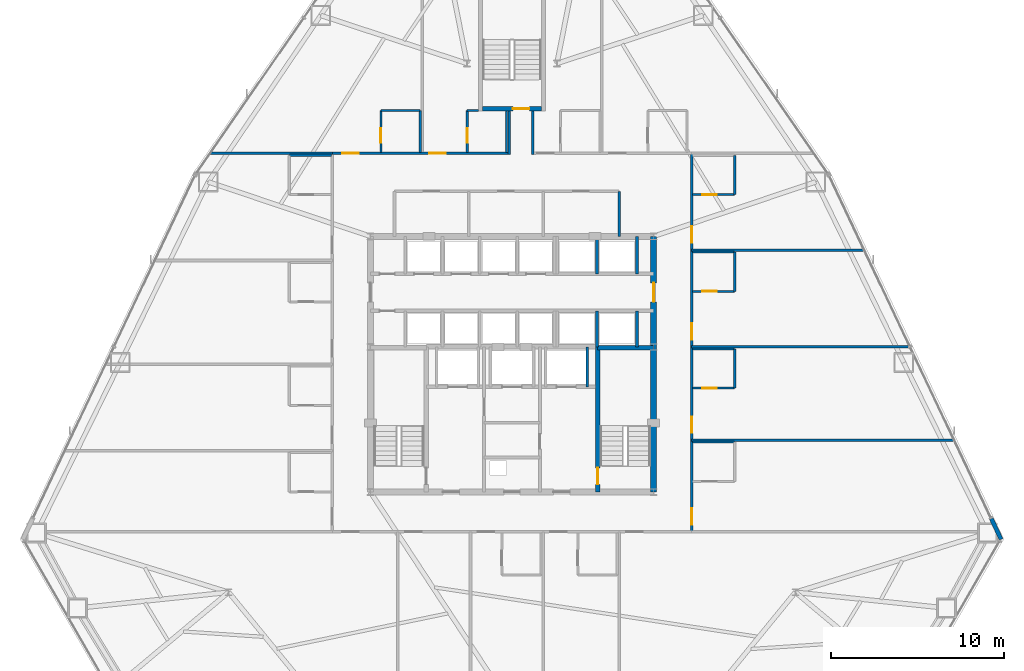
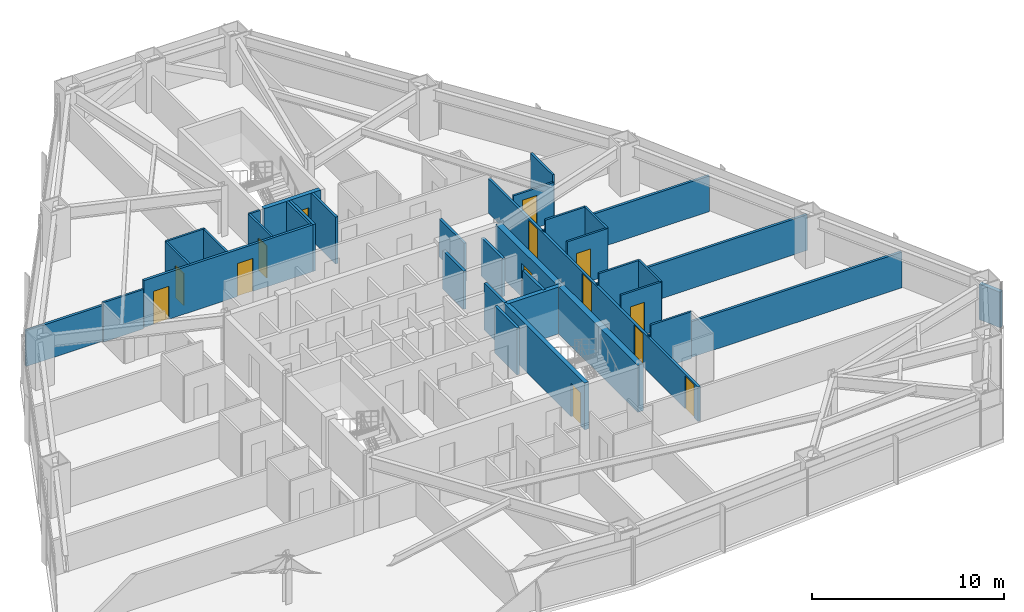
# One storey, part 11 of 13: 35 walls, 14 doors, 14 openings.
"""IFC4 building model written with IfcOpenShell, lengths in metres."""

from ifc_helpers import new_model, si_unit, direction, frame, frame_2d, origin, place, context, subcontext, project, spatial, rectangle, extrude, material, layer, layer_set, type_object, element, fill, save


model = new_model("IFC4")

# Units and contexts
model_context = context("Model", 3, precision=1e-05, world=origin(), true_north=direction((0.0, 1.0)))
body_context = subcontext(model_context, "Body", "Model", "MODEL_VIEW")
ifc_project = project(units=[si_unit("LENGTHUNIT", "METRE"), si_unit("AREAUNIT", "SQUARE_METRE"), si_unit("VOLUMEUNIT", "CUBIC_METRE"), si_unit("PLANEANGLEUNIT", "RADIAN"), si_unit("MASSUNIT", "GRAM", prefix="KILO")], contexts=[model_context])

# Site, building, storey
site_placement = place(None, origin())
site = spatial("IfcSite", under=ifc_project, at=site_placement, CompositionType="ELEMENT")
building_placement = place(site_placement, origin())
building = spatial("IfcBuilding", under=site, at=building_placement, Name="Varakhsha Concourse Tower", CompositionType="ELEMENT")
storey_placement = place(building_placement, frame((0.0, 0.0, 52.800048828125)))
storey = spatial("IfcBuildingStorey", under=building, at=storey_placement, Name="L14", CompositionType="ELEMENT", Elevation=52.800048828125)

# Wall, opening, door
ifc_material_1 = material(Name="Concrete fc 65 MPa", Category="concrete")
ifc_layer_1 = layer(ifc_material_1, 0.35009765625, Name="WL-CORE-350")
ifc_layer_set_1 = layer_set([ifc_layer_1], Name="Concrete fc 65 MPa")
wall_type_1 = type_object("IfcWallType", Name="WL-CORE-350", PredefinedType="SHEAR", material=ifc_layer_set_1)
wall_1_placement = place(storey_placement, frame((48.199951171875, 16.39990234375, 0.0), z_axis=(0.0, 0.0, 1.0), x_axis=(0.0, 1.0, 0.0)))
wall_1 = element("IfcWall", 1, at=wall_1_placement, inside=storey, type_object=wall_type_1, Name="L14 Wall CWALL-E-L14", PredefinedType="SHEAR", context=body_context, shape_type="SweptSolid", body=[
    extrude(rectangle(XDim=14.800048828125, YDim=0.35009765625, at=frame_2d((7.39990234375, 0.0))), origin(), (0.0, 0.0, 1.0), 2.97998046875),
])
opening_1_placement = place(wall_1_placement, frame((11.0, 0.0, 0.0)))
opening_1 = element("IfcOpeningElement", 2, at=opening_1_placement, cuts=wall_1, Name="Opening DL-01", PredefinedType="OPENING", context=body_context, shape_type="SweptSolid", body=[
    extrude(rectangle(XDim=1.10009765625, YDim=2.14990234375, at=frame_2d((0.550048828125, 1.074951171875))), frame((0.0, 0.18505859375, 0.0), z_axis=(0.0, -1.0, 0.0), x_axis=(1.0, 0.0, 0.0)), (0.0, 0.0, 1.0), 0.3701171875),
])
ifc_material_2 = material(Name="Anodised Bronze Architectural Aluminium AA 6063-T6", Category="aluminium")
door_type_1 = type_object("IfcDoorType", Name="DR-LOB-1100", OperationType="NOTDEFINED", PredefinedType="DOOR", material=ifc_material_2)
door_1_placement = place(opening_1_placement, origin())
door_1 = element("IfcDoor", 3, at=door_1_placement, inside=storey, type_object=door_type_1, Name="L14 Lift Lobby East Concourse Door", OperationType="SINGLE_SWING_RIGHT", OverallHeight=2.14990234375, OverallWidth=1.10009765625, PredefinedType="DOOR", context=body_context, shape_type="SweptSolid", body=[
    extrude(rectangle(XDim=1.10009765625, YDim=2.14990234375, at=frame_2d((0.550048828125, 1.074951171875))), frame((0.0, 0.02490234375, 0.0), z_axis=(0.0, -1.0, 0.0), x_axis=(1.0, 0.0, 0.0)), (0.0, 0.0, 1.0), 0.050048828125),
])
fill(opening_1, door_1)

# Walls
ifc_material_3 = material(Name="Concrete fc 45 MPa", Category="concrete")
ifc_layer_2 = layer(ifc_material_3, 0.239990234375, Name="WL-EXT-CRN-240")
ifc_layer_set_2 = layer_set([ifc_layer_2], Name="Concrete fc 45 MPa")
wall_type_2 = type_object("IfcWallType", Name="WL-EXT-CRN-240", PredefinedType="SHEAR", material=ifc_layer_set_2)
wall_2_placement = place(storey_placement, frame((68.305908203125, 13.662353515625, 0.0), z_axis=(0.0, 0.0, 1.0), x_axis=(-0.427644283084, 0.903947104175, 0.0)))
element("IfcWall", 4, at=wall_2_placement, inside=storey, type_object=wall_type_2, Name="L14 Wind-Corner Shoulder Wall F8", PredefinedType="SHEAR", context=body_context, shape_type="SweptSolid", body=[
    extrude(rectangle(XDim=1.32958984375, YDim=0.239990234375, at=frame_2d((0.664794921875, 0.0))), origin(), (0.0, 0.0, 1.0), 2.262939453125),
])
ifc_material_4 = material(Name="Acoustic Gypsum Board Partition Assembly", Category="gypsum")
ifc_layer_3 = layer(ifc_material_4, 0.1201171875, Name="WL-PART-120")
ifc_layer_set_3 = layer_set([ifc_layer_3], Name="Acoustic Gypsum Board Partition Assembly")
wall_type_3 = type_object("IfcWallType", Name="WL-PART-120", PredefinedType="PARTITIONING", material=ifc_layer_set_3)
wall_3_placement = place(storey_placement, frame((27.110107421875, 35.889892578125, 0.0), z_axis=(0.0, 0.0, 1.0), x_axis=(1.0, 0.0, 0.0)))
element("IfcWall", 5, at=wall_3_placement, inside=storey, type_object=wall_type_3, Name="L14 Wall ENSW-N-L14-H09", PredefinedType="PARTITIONING", context=body_context, shape_type="SweptSolid", body=[
    extrude(rectangle(XDim=2.429931640625, YDim=0.1201171875, at=frame_2d((1.21484375, 0.0))), origin(), (0.0, 0.0, 1.0), 2.512939453125),
])
wall_4_placement = place(storey_placement, frame((50.4599609375, 19.2900390625, 0.0), z_axis=(0.0, 0.0, 1.0), x_axis=(1.0, 0.0, 0.0)))
element("IfcWall", 6, at=wall_4_placement, inside=storey, type_object=wall_type_3, Name="L14 Wall ENSW-N-L14-H10", PredefinedType="PARTITIONING", context=body_context, shape_type="SweptSolid", body=[
    extrude(rectangle(XDim=2.429931640625, YDim=0.1201171875, at=frame_2d((1.21484375, 0.0))), origin(), (0.0, 0.0, 1.0), 2.97998046875),
])
wall_5_placement = place(storey_placement, frame((52.889892578125, 22.409912109375, 0.0), z_axis=(0.0, 0.0, 1.0), x_axis=(0.0, 1.0, 0.0)))
element("IfcWall", 7, at=wall_5_placement, inside=storey, type_object=wall_type_3, Name="L14 Wall ENSW-E-L14-H11", PredefinedType="PARTITIONING", context=body_context, shape_type="SweptSolid", body=[
    extrude(rectangle(XDim=2.280029296875, YDim=0.1201171875, at=frame_2d((1.14013671875, 0.0))), origin(), (0.0, 0.0, 1.0), 2.97998046875),
])

# Wall, opening, door
wall_6_placement = place(storey_placement, frame((50.4599609375, 22.409912109375, 0.0), z_axis=(0.0, 0.0, 1.0), x_axis=(1.0, 0.0, 0.0)))
wall_6 = element("IfcWall", 8, at=wall_6_placement, inside=storey, type_object=wall_type_3, Name="L14 Wall ENSW-S-L14-H11", PredefinedType="PARTITIONING", context=body_context, shape_type="SweptSolid", body=[
    extrude(rectangle(XDim=2.429931640625, YDim=0.1201171875, at=frame_2d((1.21484375, 0.0))), origin(), (0.0, 0.0, 1.0), 2.97998046875),
])
opening_2_placement = place(wall_6_placement, frame((0.550048828125, 0.0, 0.0)))
opening_2 = element("IfcOpeningElement", 9, at=opening_2_placement, cuts=wall_6, Name="Opening DI-01", PredefinedType="OPENING", context=body_context, shape_type="SweptSolid", body=[
    extrude(rectangle(XDim=0.85009765625, YDim=2.050048828125, at=frame_2d((0.425048828125, 1.02490234375))), frame((0.0, 0.070068359375, 0.0), z_axis=(0.0, -1.0, 0.0), x_axis=(1.0, 0.0, 0.0)), (0.0, 0.0, 1.0), 0.14013671875),
])
ifc_material_5 = material(Name="Architectural Walnut Acoustic Timber Door", Category="wood")
door_type_2 = type_object("IfcDoorType", Name="DR-INT-850", OperationType="NOTDEFINED", PredefinedType="DOOR", material=ifc_material_5)
door_2_placement = place(opening_2_placement, origin())
door_2 = element("IfcDoor", 10, at=door_2_placement, inside=storey, type_object=door_type_2, Name="L14 En-suite Bathroom Door L14-H11", OperationType="SINGLE_SWING_RIGHT", OverallHeight=2.050048828125, OverallWidth=0.85009765625, PredefinedType="DOOR", context=body_context, shape_type="SweptSolid", body=[
    extrude(rectangle(XDim=0.85009765625, YDim=2.050048828125, at=frame_2d((0.425048828125, 1.02490234375))), frame((0.0, 0.02490234375, 0.0), z_axis=(0.0, -1.0, 0.0), x_axis=(1.0, 0.0, 0.0)), (0.0, 0.0, 1.0), 0.050048828125),
])
fill(opening_2, door_2)

# Walls
wall_7_placement = place(storey_placement, frame((50.4599609375, 24.68994140625, 0.0), z_axis=(0.0, 0.0, 1.0), x_axis=(1.0, 0.0, 0.0)))
element("IfcWall", 11, at=wall_7_placement, inside=storey, type_object=wall_type_3, Name="L14 Wall ENSW-N-L14-H11", PredefinedType="PARTITIONING", context=body_context, shape_type="SweptSolid", body=[
    extrude(rectangle(XDim=2.429931640625, YDim=0.1201171875, at=frame_2d((1.21484375, 0.0))), origin(), (0.0, 0.0, 1.0), 2.97998046875),
])
wall_8_placement = place(storey_placement, frame((52.889892578125, 28.010009765625, 0.0), z_axis=(0.0, 0.0, 1.0), x_axis=(0.0, 1.0, 0.0)))
element("IfcWall", 12, at=wall_8_placement, inside=storey, type_object=wall_type_3, Name="L14 Wall ENSW-E-L14-H12", PredefinedType="PARTITIONING", context=body_context, shape_type="SweptSolid", body=[
    extrude(rectangle(XDim=2.280029296875, YDim=0.1201171875, at=frame_2d((1.14013671875, 0.0))), origin(), (0.0, 0.0, 1.0), 2.97998046875),
])

# Wall, opening, door
wall_9_placement = place(storey_placement, frame((50.4599609375, 28.010009765625, 0.0), z_axis=(0.0, 0.0, 1.0), x_axis=(1.0, 0.0, 0.0)))
wall_9 = element("IfcWall", 13, at=wall_9_placement, inside=storey, type_object=wall_type_3, Name="L14 Wall ENSW-S-L14-H12", PredefinedType="PARTITIONING", context=body_context, shape_type="SweptSolid", body=[
    extrude(rectangle(XDim=2.429931640625, YDim=0.1201171875, at=frame_2d((1.21484375, 0.0))), origin(), (0.0, 0.0, 1.0), 2.97998046875),
])
opening_3_placement = place(wall_9_placement, frame((0.550048828125, 0.0, 0.0)))
opening_3 = element("IfcOpeningElement", 14, at=opening_3_placement, cuts=wall_9, Name="Opening DI-01", PredefinedType="OPENING", context=body_context, shape_type="SweptSolid", body=[
    extrude(rectangle(XDim=0.85009765625, YDim=2.050048828125, at=frame_2d((0.425048828125, 1.02490234375))), frame((0.0, 0.070068359375, 0.0), z_axis=(0.0, -1.0, 0.0), x_axis=(1.0, 0.0, 0.0)), (0.0, 0.0, 1.0), 0.14013671875),
])
door_3_placement = place(opening_3_placement, origin())
door_3 = element("IfcDoor", 15, at=door_3_placement, inside=storey, type_object=door_type_2, Name="L14 En-suite Bathroom Door L14-H12", OperationType="SINGLE_SWING_RIGHT", OverallHeight=2.050048828125, OverallWidth=0.85009765625, PredefinedType="DOOR", context=body_context, shape_type="SweptSolid", body=[
    extrude(rectangle(XDim=0.85009765625, YDim=2.050048828125, at=frame_2d((0.425048828125, 1.02490234375))), frame((0.0, 0.02490234375, 0.0), z_axis=(0.0, -1.0, 0.0), x_axis=(1.0, 0.0, 0.0)), (0.0, 0.0, 1.0), 0.050048828125),
])
fill(opening_3, door_3)

# Walls
wall_10_placement = place(storey_placement, frame((50.4599609375, 30.2900390625, 0.0), z_axis=(0.0, 0.0, 1.0), x_axis=(1.0, 0.0, 0.0)))
element("IfcWall", 16, at=wall_10_placement, inside=storey, type_object=wall_type_3, Name="L14 Wall ENSW-N-L14-H12", PredefinedType="PARTITIONING", context=body_context, shape_type="SweptSolid", body=[
    extrude(rectangle(XDim=2.429931640625, YDim=0.1201171875, at=frame_2d((1.21484375, 0.0))), origin(), (0.0, 0.0, 1.0), 2.97998046875),
])
wall_11_placement = place(storey_placement, frame((52.889892578125, 33.610107421875, 0.0), z_axis=(0.0, 0.0, 1.0), x_axis=(0.0, 1.0, 0.0)))
element("IfcWall", 17, at=wall_11_placement, inside=storey, type_object=wall_type_3, Name="L14 Wall ENSW-E-L14-H13", PredefinedType="PARTITIONING", context=body_context, shape_type="SweptSolid", body=[
    extrude(rectangle(XDim=2.27978515625, YDim=0.1201171875, at=frame_2d((1.139892578125, 0.0))), origin(), (0.0, 0.0, 1.0), 2.97998046875),
])

# Wall, opening, door
wall_12_placement = place(storey_placement, frame((50.4599609375, 33.610107421875, 0.0), z_axis=(0.0, 0.0, 1.0), x_axis=(1.0, 0.0, 0.0)))
wall_12 = element("IfcWall", 18, at=wall_12_placement, inside=storey, type_object=wall_type_3, Name="L14 Wall ENSW-S-L14-H13", PredefinedType="PARTITIONING", context=body_context, shape_type="SweptSolid", body=[
    extrude(rectangle(XDim=2.429931640625, YDim=0.1201171875, at=frame_2d((1.21484375, 0.0))), origin(), (0.0, 0.0, 1.0), 2.512939453125),
])
opening_4_placement = place(wall_12_placement, frame((0.550048828125, 0.0, 0.0)))
opening_4 = element("IfcOpeningElement", 19, at=opening_4_placement, cuts=wall_12, Name="Opening DI-01", PredefinedType="OPENING", context=body_context, shape_type="SweptSolid", body=[
    extrude(rectangle(XDim=0.85009765625, YDim=2.050048828125, at=frame_2d((0.425048828125, 1.02490234375))), frame((0.0, 0.070068359375, 0.0), z_axis=(0.0, -1.0, 0.0), x_axis=(1.0, 0.0, 0.0)), (0.0, 0.0, 1.0), 0.14013671875),
])
door_4_placement = place(opening_4_placement, origin())
door_4 = element("IfcDoor", 20, at=door_4_placement, inside=storey, type_object=door_type_2, Name="L14 En-suite Bathroom Door L14-H13", OperationType="SINGLE_SWING_RIGHT", OverallHeight=2.050048828125, OverallWidth=0.85009765625, PredefinedType="DOOR", context=body_context, shape_type="SweptSolid", body=[
    extrude(rectangle(XDim=0.85009765625, YDim=2.050048828125, at=frame_2d((0.425048828125, 1.02490234375))), frame((0.0, 0.02490234375, 0.0), z_axis=(0.0, -1.0, 0.0), x_axis=(1.0, 0.0, 0.0)), (0.0, 0.0, 1.0), 0.050048828125),
])
fill(opening_4, door_4)

wall_13_placement = place(storey_placement, frame((32.409912109375, 36.06005859375, 0.0), z_axis=(0.0, 0.0, 1.0), x_axis=(0.0, 1.0, 0.0)))
wall_13 = element("IfcWall", 21, at=wall_13_placement, inside=storey, type_object=wall_type_3, Name="L14 Wall ENSW-W-L14-H14", PredefinedType="PARTITIONING", context=body_context, shape_type="SweptSolid", body=[
    extrude(rectangle(XDim=2.429931640625, YDim=0.1201171875, at=frame_2d((1.21484375, 0.0))), origin(), (0.0, 0.0, 1.0), 2.97998046875),
])
opening_5_placement = place(wall_13_placement, frame((0.550048828125, 0.0, 0.0)))
opening_5 = element("IfcOpeningElement", 22, at=opening_5_placement, cuts=wall_13, Name="Opening DI-01", PredefinedType="OPENING", context=body_context, shape_type="SweptSolid", body=[
    extrude(rectangle(XDim=0.85009765625, YDim=2.050048828125, at=frame_2d((0.425048828125, 1.02490234375))), frame((0.0, 0.070068359375, 0.0), z_axis=(0.0, -1.0, 0.0), x_axis=(1.0, 0.0, 0.0)), (0.0, 0.0, 1.0), 0.14013671875),
])
door_5_placement = place(opening_5_placement, origin())
door_5 = element("IfcDoor", 23, at=door_5_placement, inside=storey, type_object=door_type_2, Name="L14 En-suite Bathroom Door L14-H14", OperationType="SINGLE_SWING_RIGHT", OverallHeight=2.050048828125, OverallWidth=0.85009765625, PredefinedType="DOOR", context=body_context, shape_type="SweptSolid", body=[
    extrude(rectangle(XDim=0.85009765625, YDim=2.050048828125, at=frame_2d((0.425048828125, 1.02490234375))), frame((0.0, 0.02490234375, 0.0), z_axis=(0.0, -1.0, 0.0), x_axis=(1.0, 0.0, 0.0)), (0.0, 0.0, 1.0), 0.050048828125),
])
fill(opening_5, door_5)

# Walls
wall_14_placement = place(storey_placement, frame((34.68994140625, 36.06005859375, 0.0), z_axis=(0.0, 0.0, 1.0), x_axis=(0.0, 1.0, 0.0)))
element("IfcWall", 24, at=wall_14_placement, inside=storey, type_object=wall_type_3, Name="L14 Wall ENSW-E-L14-H14", PredefinedType="PARTITIONING", context=body_context, shape_type="SweptSolid", body=[
    extrude(rectangle(XDim=2.429931640625, YDim=0.1201171875, at=frame_2d((1.21484375, 0.0))), origin(), (0.0, 0.0, 1.0), 2.97998046875),
])
wall_15_placement = place(storey_placement, frame((32.409912109375, 38.489990234375, 0.0), z_axis=(0.0, 0.0, 1.0), x_axis=(1.0, 0.0, 0.0)))
element("IfcWall", 25, at=wall_15_placement, inside=storey, type_object=wall_type_3, Name="L14 Wall ENSW-N-L14-H14", PredefinedType="PARTITIONING", context=body_context, shape_type="SweptSolid", body=[
    extrude(rectangle(XDim=2.280029296875, YDim=0.1201171875, at=frame_2d((1.14013671875, 0.0))), origin(), (0.0, 0.0, 1.0), 2.97998046875),
])

# Wall, opening, door
wall_16_placement = place(storey_placement, frame((37.409912109375, 36.06005859375, 0.0), z_axis=(0.0, 0.0, 1.0), x_axis=(0.0, 1.0, 0.0)))
wall_16 = element("IfcWall", 26, at=wall_16_placement, inside=storey, type_object=wall_type_3, Name="L14 Wall ENSW-W-L14-H15", PredefinedType="PARTITIONING", context=body_context, shape_type="SweptSolid", body=[
    extrude(rectangle(XDim=2.429931640625, YDim=0.1201171875, at=frame_2d((1.21484375, 0.0))), origin(), (0.0, 0.0, 1.0), 2.97998046875),
])
opening_6_placement = place(wall_16_placement, frame((0.550048828125, 0.0, 0.0)))
opening_6 = element("IfcOpeningElement", 27, at=opening_6_placement, cuts=wall_16, Name="Opening DI-01", PredefinedType="OPENING", context=body_context, shape_type="SweptSolid", body=[
    extrude(rectangle(XDim=0.85009765625, YDim=2.050048828125, at=frame_2d((0.425048828125, 1.02490234375))), frame((0.0, 0.070068359375, 0.0), z_axis=(0.0, -1.0, 0.0), x_axis=(1.0, 0.0, 0.0)), (0.0, 0.0, 1.0), 0.14013671875),
])
door_6_placement = place(opening_6_placement, origin())
door_6 = element("IfcDoor", 28, at=door_6_placement, inside=storey, type_object=door_type_2, Name="L14 En-suite Bathroom Door L14-H15", OperationType="SINGLE_SWING_RIGHT", OverallHeight=2.050048828125, OverallWidth=0.85009765625, PredefinedType="DOOR", context=body_context, shape_type="SweptSolid", body=[
    extrude(rectangle(XDim=0.85009765625, YDim=2.050048828125, at=frame_2d((0.425048828125, 1.02490234375))), frame((0.0, 0.02490234375, 0.0), z_axis=(0.0, -1.0, 0.0), x_axis=(1.0, 0.0, 0.0)), (0.0, 0.0, 1.0), 0.050048828125),
])
fill(opening_6, door_6)

# Walls
wall_17_placement = place(storey_placement, frame((39.68994140625, 36.06005859375, 0.0), z_axis=(0.0, 0.0, 1.0), x_axis=(0.0, 1.0, 0.0)))
element("IfcWall", 29, at=wall_17_placement, inside=storey, type_object=wall_type_3, Name="L14 Wall ENSW-E-L14-H15", PredefinedType="PARTITIONING", context=body_context, shape_type="SweptSolid", body=[
    extrude(rectangle(XDim=2.389892578125, YDim=0.1201171875, at=frame_2d((1.19482421875, 0.0))), origin(), (0.0, 0.0, 1.0), 2.97998046875),
])
wall_18_placement = place(storey_placement, frame((37.409912109375, 38.489990234375, 0.0), z_axis=(0.0, 0.0, 1.0), x_axis=(1.0, 0.0, 0.0)))
element("IfcWall", 30, at=wall_18_placement, inside=storey, type_object=wall_type_3, Name="L14 Wall ENSW-N-L14-H15", PredefinedType="PARTITIONING", context=body_context, shape_type="SweptSolid", body=[
    extrude(rectangle(XDim=0.64013671875, YDim=0.1201171875, at=frame_2d((0.320068359375, 0.0))), origin(), (0.0, 0.0, 1.0), 2.97998046875),
])
ifc_material_6 = material(Name="Fire-Rated Type X Gypsum Partition Assembly", Category="gypsum")
ifc_layer_4 = layer(ifc_material_6, 0.14990234375, Name="WL-PART-150")
ifc_layer_set_4 = layer_set([ifc_layer_4], Name="Fire-Rated Type X Gypsum Partition Assembly")
wall_type_4 = type_object("IfcWallType", Name="WL-PART-150", PredefinedType="PARTITIONING", material=ifc_layer_set_4)
wall_19_placement = place(storey_placement, frame((46.199951171875, 31.199951171875, 0.0), z_axis=(0.0, 0.0, 1.0), x_axis=(0.0, 1.0, 0.0)))
element("IfcWall", 31, at=wall_19_placement, inside=storey, type_object=wall_type_4, Name="L14 Wall NBOH-E-L14", PredefinedType="PARTITIONING", context=body_context, shape_type="SweptSolid", body=[
    extrude(rectangle(XDim=2.60009765625, YDim=0.14990234375, at=frame_2d((1.300048828125, 0.0))), origin(), (0.0, 0.0, 1.0), 2.430908203125),
])

# Wall, openings, doors
wall_20_placement = place(storey_placement, frame((29.60009765625, 36.0, 0.0), z_axis=(0.0, 0.0, 1.0), x_axis=(1.0, 0.0, 0.0)))
wall_20 = element("IfcWall", 32, at=wall_20_placement, inside=storey, type_object=wall_type_4, Name="L14 Wall CRW-N-L14", PredefinedType="PARTITIONING", context=body_context, shape_type="SweptSolid", body=[
    extrude(rectangle(XDim=10.1748046875, YDim=0.14990234375, at=frame_2d((5.08740234375, 0.0))), origin(), (0.0, 0.0, 1.0), 2.97998046875),
])
opening_7_placement = place(wall_20_placement, frame((0.570068359375, 0.0, 0.0)))
opening_7 = element("IfcOpeningElement", 33, at=opening_7_placement, cuts=wall_20, Name="Opening DF-05", PredefinedType="OPENING", context=body_context, shape_type="SweptSolid", body=[
    extrude(rectangle(XDim=0.949951171875, YDim=2.10009765625, at=frame_2d((0.47509765625, 1.050048828125))), frame((0.0, 0.0849609375, 0.0), z_axis=(0.0, -1.0, 0.0), x_axis=(1.0, 0.0, 0.0)), (0.0, 0.0, 1.0), 0.169921875),
])
opening_8_placement = place(wall_20_placement, frame((5.6201171875, 0.0, 0.0)))
opening_8 = element("IfcOpeningElement", 34, at=opening_8_placement, cuts=wall_20, Name="Opening DF-05", PredefinedType="OPENING", context=body_context, shape_type="SweptSolid", body=[
    extrude(rectangle(XDim=0.949951171875, YDim=2.10009765625, at=frame_2d((0.47509765625, 1.050048828125))), frame((0.0, 0.0849609375, 0.0), z_axis=(0.0, -1.0, 0.0), x_axis=(1.0, 0.0, 0.0)), (0.0, 0.0, 1.0), 0.169921875),
])
ifc_material_7 = material(Name="Hollow Galvanised Steel Fire Door Assembly", Category="steel")
door_type_3 = type_object("IfcDoorType", Name="DR-FD60-950", OperationType="NOTDEFINED", PredefinedType="DOOR", material=ifc_material_7)
door_7_placement = place(opening_7_placement, origin())
door_7 = element("IfcDoor", 35, at=door_7_placement, inside=storey, type_object=door_type_3, Name="L14 Hotel Corner Suite L14-H14 Entry Door", OperationType="SINGLE_SWING_RIGHT", OverallHeight=2.10009765625, OverallWidth=0.949951171875, PredefinedType="DOOR", context=body_context, shape_type="SweptSolid", body=[
    extrude(rectangle(XDim=0.949951171875, YDim=2.10009765625, at=frame_2d((0.47509765625, 1.050048828125))), frame((0.0, 0.02490234375, 0.0), z_axis=(0.0, -1.0, 0.0), x_axis=(1.0, 0.0, 0.0)), (0.0, 0.0, 1.0), 0.050048828125),
])
fill(opening_7, door_7)
door_8_placement = place(opening_8_placement, origin())
door_8 = element("IfcDoor", 36, at=door_8_placement, inside=storey, type_object=door_type_3, Name="L14 Hotel Corner Suite L14-H15 Entry Door", OperationType="SINGLE_SWING_LEFT", OverallHeight=2.10009765625, OverallWidth=0.949951171875, PredefinedType="DOOR", context=body_context, shape_type="SweptSolid", body=[
    extrude(rectangle(XDim=0.949951171875, YDim=2.10009765625, at=frame_2d((0.47509765625, 1.050048828125))), frame((0.0, 0.02490234375, 0.0), z_axis=(0.0, -1.0, 0.0), x_axis=(1.0, 0.0, 0.0)), (0.0, 0.0, 1.0), 0.050048828125),
])
fill(opening_8, door_8)

wall_21_placement = place(storey_placement, frame((50.39990234375, 14.10009765625, 0.0), z_axis=(0.0, 0.0, 1.0), x_axis=(0.0, 1.0, 0.0)))
wall_21 = element("IfcWall", 37, at=wall_21_placement, inside=storey, type_object=wall_type_4, Name="L14 Wall CRW-E-L14", PredefinedType="PARTITIONING", context=body_context, shape_type="SweptSolid", body=[
    extrude(rectangle(XDim=21.89990234375, YDim=0.14990234375, at=frame_2d((10.949951171875, 0.0))), origin(), (0.0, 0.0, 1.0), 2.19091796875),
])
opening_9_placement = place(wall_21_placement, frame((0.419921875, 0.0, 0.0)))
opening_9 = element("IfcOpeningElement", 38, at=opening_9_placement, cuts=wall_21, Name="Opening DF-05", PredefinedType="OPENING", context=body_context, shape_type="SweptSolid", body=[
    extrude(rectangle(XDim=0.949951171875, YDim=2.10009765625, at=frame_2d((0.47509765625, 1.050048828125))), frame((0.0, 0.0849609375, 0.0), z_axis=(0.0, -1.0, 0.0), x_axis=(1.0, 0.0, 0.0)), (0.0, 0.0, 1.0), 0.169921875),
])
opening_10_placement = place(wall_21_placement, frame((5.719970703125, 0.0, 0.0)))
opening_10 = element("IfcOpeningElement", 39, at=opening_10_placement, cuts=wall_21, Name="Opening DF-05", PredefinedType="OPENING", context=body_context, shape_type="SweptSolid", body=[
    extrude(rectangle(XDim=0.949951171875, YDim=2.10009765625, at=frame_2d((0.47509765625, 1.050048828125))), frame((0.0, 0.0849609375, 0.0), z_axis=(0.0, -1.0, 0.0), x_axis=(1.0, 0.0, 0.0)), (0.0, 0.0, 1.0), 0.169921875),
])
opening_11_placement = place(wall_21_placement, frame((11.1201171875, 0.0, 0.0)))
opening_11 = element("IfcOpeningElement", 40, at=opening_11_placement, cuts=wall_21, Name="Opening DF-05", PredefinedType="OPENING", context=body_context, shape_type="SweptSolid", body=[
    extrude(rectangle(XDim=0.949951171875, YDim=2.10009765625, at=frame_2d((0.47509765625, 1.050048828125))), frame((0.0, 0.0849609375, 0.0), z_axis=(0.0, -1.0, 0.0), x_axis=(1.0, 0.0, 0.0)), (0.0, 0.0, 1.0), 0.169921875),
])
opening_12_placement = place(wall_21_placement, frame((16.719970703125, 0.0, 0.0)))
opening_12 = element("IfcOpeningElement", 41, at=opening_12_placement, cuts=wall_21, Name="Opening DF-05", PredefinedType="OPENING", context=body_context, shape_type="SweptSolid", body=[
    extrude(rectangle(XDim=0.949951171875, YDim=2.10009765625, at=frame_2d((0.47509765625, 1.050048828125))), frame((0.0, 0.0849609375, 0.0), z_axis=(0.0, -1.0, 0.0), x_axis=(1.0, 0.0, 0.0)), (0.0, 0.0, 1.0), 0.169921875),
])
door_9_placement = place(opening_9_placement, origin())
door_9 = element("IfcDoor", 42, at=door_9_placement, inside=storey, type_object=door_type_3, Name="L14 Hotel Corner Suite L14-H10 Entry Door", OperationType="SINGLE_SWING_RIGHT", OverallHeight=2.10009765625, OverallWidth=0.949951171875, PredefinedType="DOOR", context=body_context, shape_type="SweptSolid", body=[
    extrude(rectangle(XDim=0.949951171875, YDim=2.10009765625, at=frame_2d((0.47509765625, 1.050048828125))), frame((0.0, 0.02490234375, 0.0), z_axis=(0.0, -1.0, 0.0), x_axis=(1.0, 0.0, 0.0)), (0.0, 0.0, 1.0), 0.050048828125),
])
fill(opening_9, door_9)
door_10_placement = place(opening_10_placement, origin())
door_10 = element("IfcDoor", 43, at=door_10_placement, inside=storey, type_object=door_type_3, Name="L14 Hotel Corner Suite L14-H11 Entry Door", OperationType="SINGLE_SWING_LEFT", OverallHeight=2.10009765625, OverallWidth=0.949951171875, PredefinedType="DOOR", context=body_context, shape_type="SweptSolid", body=[
    extrude(rectangle(XDim=0.949951171875, YDim=2.10009765625, at=frame_2d((0.47509765625, 1.050048828125))), frame((0.0, 0.02490234375, 0.0), z_axis=(0.0, -1.0, 0.0), x_axis=(1.0, 0.0, 0.0)), (0.0, 0.0, 1.0), 0.050048828125),
])
fill(opening_10, door_10)
door_11_placement = place(opening_11_placement, origin())
door_11 = element("IfcDoor", 44, at=door_11_placement, inside=storey, type_object=door_type_3, Name="L14 Hotel Corner Suite L14-H12 Entry Door", OperationType="SINGLE_SWING_RIGHT", OverallHeight=2.10009765625, OverallWidth=0.949951171875, PredefinedType="DOOR", context=body_context, shape_type="SweptSolid", body=[
    extrude(rectangle(XDim=0.949951171875, YDim=2.10009765625, at=frame_2d((0.47509765625, 1.050048828125))), frame((0.0, 0.02490234375, 0.0), z_axis=(0.0, -1.0, 0.0), x_axis=(1.0, 0.0, 0.0)), (0.0, 0.0, 1.0), 0.050048828125),
])
fill(opening_11, door_11)
door_12_placement = place(opening_12_placement, origin())
door_12 = element("IfcDoor", 45, at=door_12_placement, inside=storey, type_object=door_type_3, Name="L14 Hotel Corner Suite L14-H13 Entry Door", OperationType="SINGLE_SWING_LEFT", OverallHeight=2.10009765625, OverallWidth=0.949951171875, PredefinedType="DOOR", context=body_context, shape_type="SweptSolid", body=[
    extrude(rectangle(XDim=0.949951171875, YDim=2.10009765625, at=frame_2d((0.47509765625, 1.050048828125))), frame((0.0, 0.02490234375, 0.0), z_axis=(0.0, -1.0, 0.0), x_axis=(1.0, 0.0, 0.0)), (0.0, 0.0, 1.0), 0.050048828125),
])
fill(opening_12, door_12)

# Walls
wall_22_placement = place(storey_placement, frame((22.53466796875, 36.0, 0.0), z_axis=(0.0, 0.0, 1.0), x_axis=(1.0, 0.0, 0.0)))
element("IfcWall", 46, at=wall_22_placement, inside=storey, type_object=wall_type_4, Name="L14 Wall HDIV-WBN-L14", PredefinedType="PARTITIONING", context=body_context, shape_type="SweptSolid", body=[
    extrude(rectangle(XDim=7.0654296875, YDim=0.14990234375, at=frame_2d((3.53271484375, 0.0))), origin(), (0.0, 0.0, 1.0), 2.26806640625),
])
wall_23_placement = place(storey_placement, frame((50.39990234375, 19.39990234375, 0.0), z_axis=(0.0, 0.0, 1.0), x_axis=(1.0, 0.0, 0.0)))
element("IfcWall", 47, at=wall_23_placement, inside=storey, type_object=wall_type_4, Name="L14 Wall HDIV-E1-L14", PredefinedType="PARTITIONING", context=body_context, shape_type="SweptSolid", body=[
    extrude(rectangle(XDim=15.186279296875, YDim=0.14990234375, at=frame_2d((7.59326171875, 0.0))), origin(), (0.0, 0.0, 1.0), 2.26806640625),
])
wall_24_placement = place(storey_placement, frame((50.39990234375, 24.800048828125, 0.0), z_axis=(0.0, 0.0, 1.0), x_axis=(1.0, 0.0, 0.0)))
element("IfcWall", 48, at=wall_24_placement, inside=storey, type_object=wall_type_4, Name="L14 Wall HDIV-E2-L14", PredefinedType="PARTITIONING", context=body_context, shape_type="SweptSolid", body=[
    extrude(rectangle(XDim=12.632080078125, YDim=0.14990234375, at=frame_2d((6.31591796875, 0.0))), origin(), (0.0, 0.0, 1.0), 2.26806640625),
])
wall_25_placement = place(storey_placement, frame((50.39990234375, 30.39990234375, 0.0), z_axis=(0.0, 0.0, 1.0), x_axis=(1.0, 0.0, 0.0)))
element("IfcWall", 49, at=wall_25_placement, inside=storey, type_object=wall_type_4, Name="L14 Wall HDIV-E3-L14", PredefinedType="PARTITIONING", context=body_context, shape_type="SweptSolid", body=[
    extrude(rectangle(XDim=9.983154296875, YDim=0.14990234375, at=frame_2d((4.99169921875, 0.0))), origin(), (0.0, 0.0, 1.0), 2.26806640625),
])
for number, where, z_axis, x_axis, name in (
    (50, (39.85009765625, 35.925048828125, 0.0), (0.0, 0.0, 1.0), (0.0, 1.0, 0.0), "L14 Wall STUB-W-L14"),
    (51, (41.199951171875, 35.925048828125, 0.0), (0.0, 0.0, 1.0), (0.0, 1.0, 0.0), "L14 Wall STUB-E-L14"),
):
    element("IfcWall", number, at=place(storey_placement, frame(where, z_axis=z_axis, x_axis=x_axis)), inside=storey, type_object=wall_type_4, Name=name, PredefinedType="PARTITIONING", context=body_context, shape_type="SweptSolid", body=[
        extrude(rectangle(XDim=2.52490234375, YDim=0.14990234375, at=frame_2d((1.262451171875, 0.0))), origin(), (0.0, 0.0, 1.0), 2.97998046875),
    ])
ifc_layer_5 = layer(ifc_material_6, 0.199951171875, Name="WL-SHAFT-220")
ifc_layer_set_5 = layer_set([ifc_layer_5], Name="Fire-Rated Type X Gypsum Partition Assembly")
wall_type_5 = type_object("IfcWallType", Name="WL-SHAFT-220", PredefinedType="SOLIDWALL", material=ifc_layer_set_5)
wall_26_placement = place(storey_placement, frame((44.35009765625, 22.47998046875, 0.0), z_axis=(0.0, 0.0, 1.0), x_axis=(0.0, 1.0, 0.0)))
element("IfcWall", 52, at=wall_26_placement, inside=storey, type_object=wall_type_5, Name="L14 Wall SHW-FFL-2-E-L14", PredefinedType="SOLIDWALL", context=body_context, shape_type="SweptSolid", body=[
    extrude(rectangle(XDim=2.320068359375, YDim=0.159912109375, at=frame_2d((1.16015625, 0.0))), origin(), (0.0, 0.0, 1.0), 2.97998046875),
])
for number, where, z_axis, x_axis, name in (
    (53, (44.919921875, 29.02001953125, 0.0), (0.0, 0.0, 1.0), (0.0, 1.0, 0.0), "L14 Wall SHW-LF-P09-E-L14"),
    (54, (47.239990234375, 29.02001953125, 0.0), (0.0, 0.0, 1.0), (0.0, 1.0, 0.0), "L14 Wall SHW-LF-P10-E-L14"),
):
    element("IfcWall", number, at=place(storey_placement, frame(where, z_axis=z_axis, x_axis=x_axis)), inside=storey, type_object=wall_type_5, Name=name, PredefinedType="SOLIDWALL", context=body_context, shape_type="SweptSolid", body=[
        extrude(rectangle(XDim=2.179931640625, YDim=0.159912109375, at=frame_2d((1.08984375, 0.0))), origin(), (0.0, 0.0, 1.0), 2.430908203125),
    ])
for number, where, z_axis, x_axis, name in (
    (55, (44.919921875, 24.800048828125, 0.0), (0.0, 0.0, 1.0), (0.0, 1.0, 0.0), "L14 Wall SHW-LF-P11-E-L14"),
    (56, (47.239990234375, 24.800048828125, 0.0), (0.0, 0.0, 1.0), (0.0, 1.0, 0.0), "L14 Wall SHW-LF-P12-E-L14"),
):
    element("IfcWall", number, at=place(storey_placement, frame(where, z_axis=z_axis, x_axis=x_axis)), inside=storey, type_object=wall_type_5, Name=name, PredefinedType="SOLIDWALL", context=body_context, shape_type="SweptSolid", body=[
        extrude(rectangle(XDim=2.079833984375, YDim=0.159912109375, at=frame_2d((1.0400390625, 0.0))), origin(), (0.0, 0.0, 1.0), 2.97998046875),
    ])

# Wall, opening, door
ifc_layer_6 = layer(ifc_material_3, 0.25, Name="WL-STAIR-250")
ifc_layer_set_6 = layer_set([ifc_layer_6], Name="Concrete fc 45 MPa")
wall_type_6 = type_object("IfcWallType", Name="WL-STAIR-250", PredefinedType="SHEAR", material=ifc_layer_set_6)
wall_27_placement = place(storey_placement, frame((44.955078125, 16.39990234375, 0.0), z_axis=(0.0, 0.0, 1.0), x_axis=(0.0, 1.0, 0.0)))
wall_27 = element("IfcWall", 57, at=wall_27_placement, inside=storey, type_object=wall_type_6, Name="L14 Wall SWALL-ST2-W-L14", PredefinedType="SHEAR", context=body_context, shape_type="SweptSolid", body=[
    extrude(rectangle(XDim=8.400146484375, YDim=0.25, at=frame_2d((4.2001953125, 0.0))), origin(), (0.0, 0.0, 1.0), 2.97998046875),
])
opening_13_placement = place(wall_27_placement, frame((0.449951171875, 0.0, 0.0)))
opening_13 = element("IfcOpeningElement", 58, at=opening_13_placement, cuts=wall_27, Name="Opening DF-03", PredefinedType="OPENING", context=body_context, shape_type="SweptSolid", body=[
    extrude(rectangle(XDim=0.949951171875, YDim=2.10009765625, at=frame_2d((0.47509765625, 1.050048828125))), frame((0.0, 0.135009765625, 0.0), z_axis=(0.0, -1.0, 0.0), x_axis=(1.0, 0.0, 0.0)), (0.0, 0.0, 1.0), 0.27001953125),
])
door_type_4 = type_object("IfcDoorType", Name="DR-FD90-950", OperationType="NOTDEFINED", PredefinedType="DOOR", material=ifc_material_7)
door_13_placement = place(opening_13_placement, origin())
door_13 = element("IfcDoor", 59, at=door_13_placement, inside=storey, type_object=door_type_4, Name="L14 Stair ST2 Fire Door", OperationType="SINGLE_SWING_RIGHT", OverallHeight=2.10009765625, OverallWidth=0.949951171875, PredefinedType="DOOR", context=body_context, shape_type="SweptSolid", body=[
    extrude(rectangle(XDim=0.949951171875, YDim=2.10009765625, at=frame_2d((0.47509765625, 1.050048828125))), frame((0.0, 0.02490234375, 0.0), z_axis=(0.0, -1.0, 0.0), x_axis=(1.0, 0.0, 0.0)), (0.0, 0.0, 1.0), 0.050048828125),
])
fill(opening_13, door_13)

# Wall
wall_28_placement = place(storey_placement, frame((44.955078125, 24.7548828125, 0.0), z_axis=(0.0, 0.0, 1.0), x_axis=(1.0, 0.0, 0.0)))
element("IfcWall", 60, at=wall_28_placement, inside=storey, type_object=wall_type_6, Name="L14 Wall SWALL-ST2-N-L14", PredefinedType="SHEAR", context=body_context, shape_type="SweptSolid", body=[
    extrude(rectangle(XDim=3.244873046875, YDim=0.25, at=frame_2d((1.62255859375, 0.0))), origin(), (0.0, 0.0, 1.0), 2.97998046875),
])

# Wall, opening, door
wall_29_placement = place(storey_placement, frame((38.300048828125, 38.574951171875, 0.0), z_axis=(0.0, 0.0, 1.0), x_axis=(1.0, 0.0, 0.0)))
wall_29 = element("IfcWall", 61, at=wall_29_placement, inside=storey, type_object=wall_type_6, Name="L14 Wall SWALL-ST5-S-L14", PredefinedType="SHEAR", context=body_context, shape_type="SweptSolid", body=[
    extrude(rectangle(XDim=3.39990234375, YDim=0.25, at=frame_2d((1.699951171875, 0.0))), origin(), (0.0, 0.0, 1.0), 2.97998046875),
])
opening_14_placement = place(wall_29_placement, frame((1.75, 0.0, 0.0)))
opening_14 = element("IfcOpeningElement", 62, at=opening_14_placement, cuts=wall_29, Name="Opening DF-03", PredefinedType="OPENING", context=body_context, shape_type="SweptSolid", body=[
    extrude(rectangle(XDim=0.949951171875, YDim=2.10009765625, at=frame_2d((0.47509765625, 1.050048828125))), frame((0.0, 0.135009765625, 0.0), z_axis=(0.0, -1.0, 0.0), x_axis=(1.0, 0.0, 0.0)), (0.0, 0.0, 1.0), 0.27001953125),
])
door_14_placement = place(opening_14_placement, origin())
door_14 = element("IfcDoor", 63, at=door_14_placement, inside=storey, type_object=door_type_4, Name="L14 Stair ST5 Fire Door", OperationType="SINGLE_SWING_RIGHT", OverallHeight=2.10009765625, OverallWidth=0.949951171875, PredefinedType="DOOR", context=body_context, shape_type="SweptSolid", body=[
    extrude(rectangle(XDim=0.949951171875, YDim=2.10009765625, at=frame_2d((0.47509765625, 1.050048828125))), frame((0.0, 0.02490234375, 0.0), z_axis=(0.0, -1.0, 0.0), x_axis=(1.0, 0.0, 0.0)), (0.0, 0.0, 1.0), 0.050048828125),
])
fill(opening_14, door_14)

save(model, "model.ifc")
